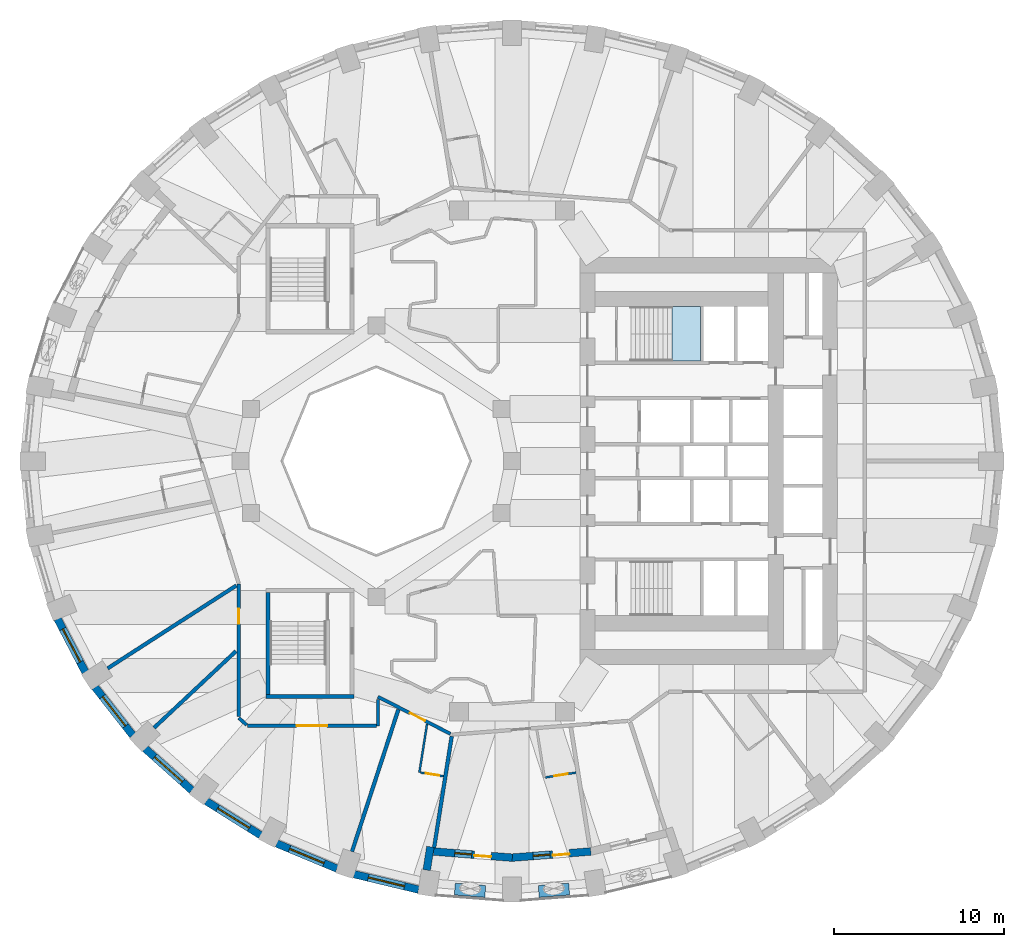
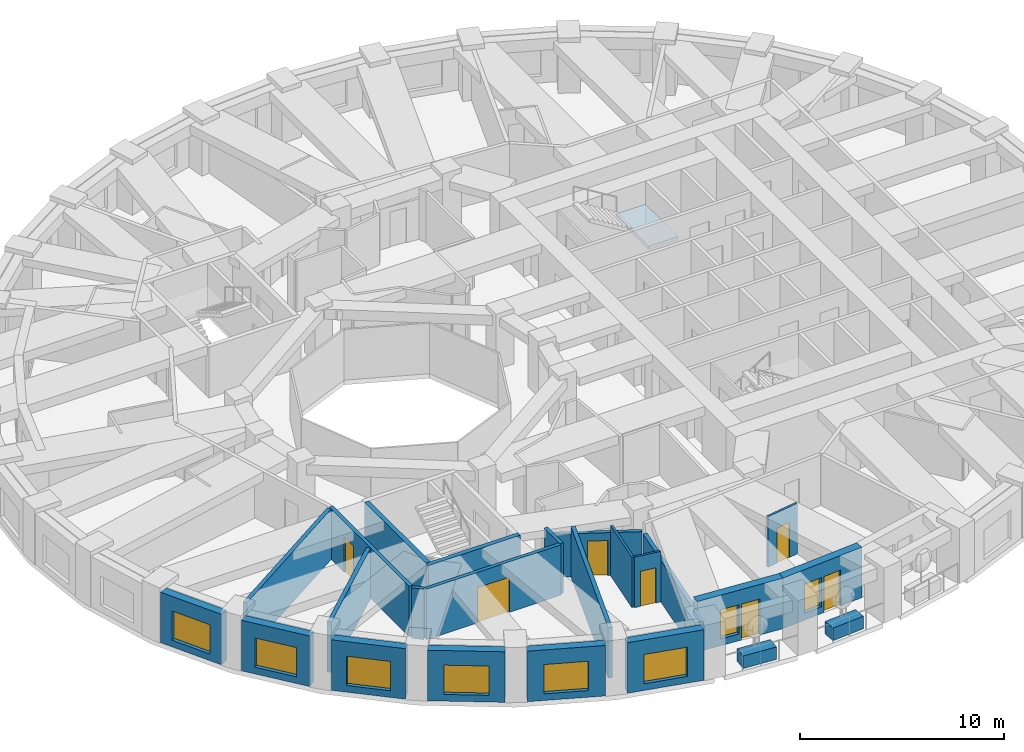
# One storey, part 3 of 13: 25 walls, 8 windows, 7 doors, 1 slab, 15 openings, 1 element without a shape of its own.
"""IFC4 building model written with IfcOpenShell, lengths in metres."""

from ifc_helpers import new_model, si_unit, direction, frame, frame_2d, origin, place, context, subcontext, project, spatial, polyline, rectangle, outline, extrude, material, layer, layer_set, constituent, constituent_set, type_object, element, fill, aggregate, save


model = new_model("IFC4")

# Units and contexts
model_context = context("Model", 3, precision=1e-05, world=origin(), true_north=direction((0.0, 1.0)))
body_context = subcontext(model_context, "Body", "Model", "MODEL_VIEW")
ifc_project = project(units=[si_unit("LENGTHUNIT", "METRE"), si_unit("AREAUNIT", "SQUARE_METRE"), si_unit("VOLUMEUNIT", "CUBIC_METRE"), si_unit("PLANEANGLEUNIT", "RADIAN"), si_unit("MASSUNIT", "GRAM", prefix="KILO")], contexts=[model_context])

# Site, building, storey
site_placement = place(None, origin())
site = spatial("IfcSite", under=ifc_project, at=site_placement, CompositionType="ELEMENT")
building_placement = place(site_placement, origin())
building = spatial("IfcBuilding", under=site, at=building_placement, Name="Taillehof Tower", CompositionType="ELEMENT")
storey_placement = place(building_placement, frame((0.0, 0.0, 31.60009765625)))
storey = spatial("IfcBuildingStorey", under=building, at=storey_placement, Name="L07", CompositionType="ELEMENT", Elevation=31.60009765625)

# Stair, slab
ifc_material_1 = material(Name="Concrete C40/50", Category="concrete")
stair_type = type_object("IfcStairType", Name="Exit stair half-turn", PredefinedType="HALF_TURN_STAIR", material=ifc_material_1)
stair_placement = place(storey_placement, origin())
stair = element("IfcStair", 1, at=stair_placement, inside=storey, type_object=stair_type, Name="Exit stair S1", PredefinedType="HALF_TURN_STAIR")
ifc_material_2 = material(Name="Concrete C40/50", Category="concrete")
ifc_layer_1 = layer(ifc_material_2, 0.2099609375)
ifc_layer_set_1 = layer_set([ifc_layer_1], Name="Stair landing C40/50 210")
slab_type = type_object("IfcSlabType", Name="Stair landing C40/50 210", PredefinedType="LANDING", material=ifc_layer_set_1)
slab_placement = place(storey_placement, frame((0.0, 0.0, 1.43994140625)))
slab = element("IfcSlab", 2, at=slab_placement, type_object=slab_type, Name="S1 landing 1", PredefinedType="LANDING", context=body_context, shape_type="SweptSolid", body=[
    extrude(outline(polyline([(9.429931640625, 5.89990234375), (11.10009765625, 5.89990234375), (11.10009765625, 9.10009765625), (9.429931640625, 9.10009765625), (9.429931640625, 5.89990234375)])), origin(), (0.0, 0.0, 1.0), 0.2099609375),
])
aggregate(stair, [slab])

# Wall, opening, window
ifc_material_3 = material(Name="Brick masonry", Category="masonry")
ifc_layer_2 = layer(ifc_material_3, 0.449951171875)
ifc_layer_set_2 = layer_set([ifc_layer_2], Name="Brick infill wall 450")
wall_type_1 = type_object("IfcWallType", Name="Brick infill wall 450", PredefinedType="SOLIDWALL", material=ifc_layer_set_2)
wall_1_placement = place(storey_placement, frame((-26.78564453125, -9.30517578125, 0.0), z_axis=(0.0, 0.0, 1.0), x_axis=(0.462492775226, -0.886623050041, 0.0)))
wall_1 = element("IfcWall", 3, at=wall_1_placement, inside=storey, type_object=wall_type_1, Name="Brick wall L07 bay 21", PredefinedType="SOLIDWALL", context=body_context, shape_type="SweptSolid", body=[
    extrude(rectangle(XDim=3.531982421875, YDim=0.449951171875, at=frame_2d((1.76611328125, 0.0))), origin(), (0.0, 0.0, 1.0), 3.02001953125),
])
opening_1_placement = place(wall_1_placement, frame((0.666015625, 0.0, 0.39990234375)))
opening_1 = element("IfcOpeningElement", 4, at=opening_1_placement, cuts=wall_1, Name="Opening W1", PredefinedType="OPENING", context=body_context, shape_type="SweptSolid", body=[
    extrude(rectangle(XDim=2.199951171875, YDim=1.75, at=frame_2d((1.10009765625, 0.875))), frame((0.0, 0.23486328125, 0.0), z_axis=(0.0, -1.0, 0.0), x_axis=(1.0, 0.0, 0.0)), (0.0, 0.0, 1.0), 0.469970703125),
])
ifc_material_4 = material(Name="Aluminium window frame with clear double glazing", Category="aluminium")
window_type_1 = type_object("IfcWindowType", Name="Deep-set window 2200x1750", PartitioningType="SINGLE_PANEL", PredefinedType="WINDOW", material=ifc_material_4)
window_1_placement = place(opening_1_placement, origin())
window_1 = element("IfcWindow", 5, at=window_1_placement, inside=storey, type_object=window_type_1, Name="W1", OverallHeight=1.75, OverallWidth=2.199951171875, PartitioningType="SINGLE_PANEL", PredefinedType="WINDOW", context=body_context, shape_type="SweptSolid", body=[
    extrude(rectangle(XDim=2.199951171875, YDim=1.75, at=frame_2d((1.10009765625, 0.875))), frame((0.0, 0.034912109375, 0.0), z_axis=(0.0, -1.0, 0.0), x_axis=(1.0, 0.0, 0.0)), (0.0, 0.0, 1.0), 0.06005859375),
])
fill(opening_1, window_1)

wall_2_placement = place(storey_placement, frame((-24.57763671875, -13.327880859375, 0.0), z_axis=(0.0, 0.0, 1.0), x_axis=(0.616661975264, -0.787228053529, 0.0)))
wall_2 = element("IfcWall", 6, at=wall_2_placement, inside=storey, type_object=wall_type_1, Name="Brick wall L07 bay 22", PredefinedType="SOLIDWALL", context=body_context, shape_type="SweptSolid", body=[
    extrude(rectangle(XDim=3.60986328125, YDim=0.449951171875, at=frame_2d((1.804931640625, 0.0))), origin(), (0.0, 0.0, 1.0), 3.02001953125),
])
opening_2_placement = place(wall_2_placement, frame((0.704833984375, 0.0, 0.39990234375)))
opening_2 = element("IfcOpeningElement", 7, at=opening_2_placement, cuts=wall_2, Name="Opening W1", PredefinedType="OPENING", context=body_context, shape_type="SweptSolid", body=[
    extrude(rectangle(XDim=2.199951171875, YDim=1.75, at=frame_2d((1.10009765625, 0.875))), frame((0.0, 0.23486328125, 0.0), z_axis=(0.0, -1.0, 0.0), x_axis=(1.0, 0.0, 0.0)), (0.0, 0.0, 1.0), 0.469970703125),
])
window_2_placement = place(opening_2_placement, origin())
window_2 = element("IfcWindow", 8, at=window_2_placement, inside=storey, type_object=window_type_1, Name="W1", OverallHeight=1.75, OverallWidth=2.199951171875, PartitioningType="SINGLE_PANEL", PredefinedType="WINDOW", context=body_context, shape_type="SweptSolid", body=[
    extrude(rectangle(XDim=2.199951171875, YDim=1.75, at=frame_2d((1.10009765625, 0.875))), frame((0.0, 0.034912109375, 0.0), z_axis=(0.0, -1.0, 0.0), x_axis=(1.0, 0.0, 0.0)), (0.0, 0.0, 1.0), 0.06005859375),
])
fill(opening_2, window_2)

wall_3_placement = place(storey_placement, frame((-21.626708984375, -16.943115234375, 0.0), z_axis=(0.0, 0.0, 1.0), x_axis=(0.745526233716, -0.66647628228, 0.0)))
wall_3 = element("IfcWall", 9, at=wall_3_placement, inside=storey, type_object=wall_type_1, Name="Brick wall L07 bay 23", PredefinedType="SOLIDWALL", context=body_context, shape_type="SweptSolid", body=[
    extrude(rectangle(XDim=3.69677734375, YDim=0.449951171875, at=frame_2d((1.848388671875, 0.0))), origin(), (0.0, 0.0, 1.0), 3.02001953125),
])
opening_3_placement = place(wall_3_placement, frame((0.74853515625, 0.0, 0.39990234375)))
opening_3 = element("IfcOpeningElement", 10, at=opening_3_placement, cuts=wall_3, Name="Opening W1", PredefinedType="OPENING", context=body_context, shape_type="SweptSolid", body=[
    extrude(rectangle(XDim=2.199951171875, YDim=1.75, at=frame_2d((1.10009765625, 0.875))), frame((0.0, 0.23486328125, 0.0), z_axis=(0.0, -1.0, 0.0), x_axis=(1.0, 0.0, 0.0)), (0.0, 0.0, 1.0), 0.469970703125),
])
window_3_placement = place(opening_3_placement, origin())
window_3 = element("IfcWindow", 11, at=window_3_placement, inside=storey, type_object=window_type_1, Name="W1", OverallHeight=1.75, OverallWidth=2.199951171875, PartitioningType="SINGLE_PANEL", PredefinedType="WINDOW", context=body_context, shape_type="SweptSolid", body=[
    extrude(rectangle(XDim=2.199951171875, YDim=1.75, at=frame_2d((1.10009765625, 0.875))), frame((0.0, 0.034912109375, 0.0), z_axis=(0.0, -1.0, 0.0), x_axis=(1.0, 0.0, 0.0)), (0.0, 0.0, 1.0), 0.06005859375),
])
fill(opening_3, window_3)

wall_4_placement = place(storey_placement, frame((-18.02294921875, -20.043701171875, 0.0), z_axis=(0.0, 0.0, 1.0), x_axis=(0.847635480093, -0.530579016629, 0.0)))
wall_4 = element("IfcWall", 12, at=wall_4_placement, inside=storey, type_object=wall_type_1, Name="Brick wall L07 bay 24", PredefinedType="SOLIDWALL", context=body_context, shape_type="SweptSolid", body=[
    extrude(rectangle(XDim=3.782470703125, YDim=0.449951171875, at=frame_2d((1.89111328125, 0.0))), origin(), (0.0, 0.0, 1.0), 3.02001953125),
])
opening_4_placement = place(wall_4_placement, frame((0.791259765625, 0.0, 0.39990234375)))
opening_4 = element("IfcOpeningElement", 13, at=opening_4_placement, cuts=wall_4, Name="Opening W1", PredefinedType="OPENING", context=body_context, shape_type="SweptSolid", body=[
    extrude(rectangle(XDim=2.199951171875, YDim=1.75, at=frame_2d((1.10009765625, 0.875))), frame((0.0, 0.23486328125, 0.0), z_axis=(0.0, -1.0, 0.0), x_axis=(1.0, 0.0, 0.0)), (0.0, 0.0, 1.0), 0.469970703125),
])
window_4_placement = place(opening_4_placement, origin())
window_4 = element("IfcWindow", 14, at=window_4_placement, inside=storey, type_object=window_type_1, Name="W1", OverallHeight=1.75, OverallWidth=2.199951171875, PartitioningType="SINGLE_PANEL", PredefinedType="WINDOW", context=body_context, shape_type="SweptSolid", body=[
    extrude(rectangle(XDim=2.199951171875, YDim=1.75, at=frame_2d((1.10009765625, 0.875))), frame((0.0, 0.034912109375, 0.0), z_axis=(0.0, -1.0, 0.0), x_axis=(1.0, 0.0, 0.0)), (0.0, 0.0, 1.0), 0.06005859375),
])
fill(opening_4, window_4)

wall_5_placement = place(storey_placement, frame((-13.875, -22.537353515625, 0.0), z_axis=(0.0, 0.0, 1.0), x_axis=(0.923031964282, -0.384723267966, 0.0)))
wall_5 = element("IfcWall", 15, at=wall_5_placement, inside=storey, type_object=wall_type_1, Name="Brick wall L07 bay 25", PredefinedType="SOLIDWALL", context=body_context, shape_type="SweptSolid", body=[
    extrude(rectangle(XDim=3.8564453125, YDim=0.449951171875, at=frame_2d((1.92822265625, 0.0))), origin(), (0.0, 0.0, 1.0), 3.02001953125),
])
opening_5_placement = place(wall_5_placement, frame((0.828125, 0.0, 0.39990234375)))
opening_5 = element("IfcOpeningElement", 16, at=opening_5_placement, cuts=wall_5, Name="Opening W1", PredefinedType="OPENING", context=body_context, shape_type="SweptSolid", body=[
    extrude(rectangle(XDim=2.199951171875, YDim=1.75, at=frame_2d((1.10009765625, 0.875))), frame((0.0, 0.23486328125, 0.0), z_axis=(0.0, -1.0, 0.0), x_axis=(1.0, 0.0, 0.0)), (0.0, 0.0, 1.0), 0.469970703125),
])
window_5_placement = place(opening_5_placement, origin())
window_5 = element("IfcWindow", 17, at=window_5_placement, inside=storey, type_object=window_type_1, Name="W1", OverallHeight=1.75, OverallWidth=2.199951171875, PartitioningType="SINGLE_PANEL", PredefinedType="WINDOW", context=body_context, shape_type="SweptSolid", body=[
    extrude(rectangle(XDim=2.199951171875, YDim=1.75, at=frame_2d((1.10009765625, 0.875))), frame((0.0, 0.034912109375, 0.0), z_axis=(0.0, -1.0, 0.0), x_axis=(1.0, 0.0, 0.0)), (0.0, 0.0, 1.0), 0.06005859375),
])
fill(opening_5, window_5)

wall_6_placement = place(storey_placement, frame((-9.3076171875, -24.349609375, 0.0), z_axis=(0.0, 0.0, 1.0), x_axis=(0.972496561493, -0.232917233979, 0.0)))
wall_6 = element("IfcWall", 18, at=wall_6_placement, inside=storey, type_object=wall_type_1, Name="Brick wall L07 bay 26", PredefinedType="SOLIDWALL", context=body_context, shape_type="SweptSolid", body=[
    extrude(rectangle(XDim=3.910888671875, YDim=0.449951171875, at=frame_2d((1.95556640625, 0.0))), origin(), (0.0, 0.0, 1.0), 3.02001953125),
])
opening_6_placement = place(wall_6_placement, frame((0.855224609375, 0.0, 0.39990234375)))
opening_6 = element("IfcOpeningElement", 19, at=opening_6_placement, cuts=wall_6, Name="Opening W1", PredefinedType="OPENING", context=body_context, shape_type="SweptSolid", body=[
    extrude(rectangle(XDim=2.199951171875, YDim=1.75, at=frame_2d((1.10009765625, 0.875))), frame((0.0, 0.23486328125, 0.0), z_axis=(0.0, -1.0, 0.0), x_axis=(1.0, 0.0, 0.0)), (0.0, 0.0, 1.0), 0.469970703125),
])
window_6_placement = place(opening_6_placement, origin())
window_6 = element("IfcWindow", 20, at=window_6_placement, inside=storey, type_object=window_type_1, Name="W1", OverallHeight=1.75, OverallWidth=2.199951171875, PartitioningType="SINGLE_PANEL", PredefinedType="WINDOW", context=body_context, shape_type="SweptSolid", body=[
    extrude(rectangle(XDim=2.199951171875, YDim=1.75, at=frame_2d((1.10009765625, 0.875))), frame((0.0, 0.034912109375, 0.0), z_axis=(0.0, -1.0, 0.0), x_axis=(1.0, 0.0, 0.0)), (0.0, 0.0, 1.0), 0.06005859375),
])
fill(opening_6, window_6)

# Wall
wall_7_placement = place(storey_placement, frame((-5.02685546875, -24.108154296875, 0.0), z_axis=(0.0, 0.0, 1.0), x_axis=(0.156133927791, 0.98773589415, 0.0)))
element("IfcWall", 21, at=wall_7_placement, inside=storey, type_object=wall_type_1, Name="Brick reveal L07 pocket 8", PredefinedType="SOLIDWALL", context=body_context, shape_type="SweptSolid", body=[
    extrude(rectangle(XDim=1.39013671875, YDim=0.449951171875, at=frame_2d((0.695068359375, 0.0))), origin(), (0.0, 0.0, 1.0), 2.469970703125),
])

# Wall, openings, door, window
wall_8_placement = place(storey_placement, frame((-4.625732421875, -23.011474609375, 0.0), z_axis=(0.0, 0.0, 1.0), x_axis=(0.996937095772, -0.078207589615, 0.0)))
wall_8 = element("IfcWall", 22, at=wall_8_placement, inside=storey, type_object=wall_type_1, Name="Brick wall L07 pocket bay 27", PredefinedType="SOLIDWALL", context=body_context, shape_type="SweptSolid", body=[
    extrude(rectangle(XDim=4.657470703125, YDim=0.449951171875, at=frame_2d((2.32861328125, 0.0))), origin(), (0.0, 0.0, 1.0), 3.02001953125),
])
opening_7_placement = place(wall_8_placement, frame((1.25390625, 0.0, 0.39990234375)))
opening_7 = element("IfcOpeningElement", 23, at=opening_7_placement, cuts=wall_8, Name="Opening W5", PredefinedType="OPENING", context=body_context, shape_type="SweptSolid", body=[
    extrude(rectangle(XDim=1.0, YDim=1.75, at=frame_2d((0.5, 0.875))), frame((0.0, 0.23486328125, 0.0), z_axis=(0.0, -1.0, 0.0), x_axis=(1.0, 0.0, 0.0)), (0.0, 0.0, 1.0), 0.469970703125),
])
opening_8_placement = place(wall_8_placement, frame((2.40380859375, 0.0, 0.0)))
opening_8 = element("IfcOpeningElement", 24, at=opening_8_placement, cuts=wall_8, Name="Opening D0794", PredefinedType="OPENING", context=body_context, shape_type="SweptSolid", body=[
    extrude(rectangle(XDim=1.0, YDim=2.14990234375, at=frame_2d((0.5, 1.074951171875))), frame((0.0, 0.23486328125, 0.0), z_axis=(0.0, -1.0, 0.0), x_axis=(1.0, 0.0, 0.0)), (0.0, 0.0, 1.0), 0.469970703125),
])
ifc_material_5 = material(Name="Aluminium door frame with clear double glazing", Category="aluminium")
door_type_1 = type_object("IfcDoorType", Name="Balcony door 1000x2150", OperationType="SINGLE_SWING_RIGHT", PredefinedType="DOOR", material=ifc_material_5)
door_1_placement = place(opening_8_placement, frame((1.0, 0.0, 0.0), z_axis=(0.0, 0.0, 1.0), x_axis=(-1.0, 0.0, 0.0)))
door_1 = element("IfcDoor", 25, at=door_1_placement, inside=storey, type_object=door_type_1, Name="Balcony door L07 bay 27", OperationType="SINGLE_SWING_RIGHT", OverallHeight=2.14990234375, OverallWidth=1.0, PredefinedType="DOOR", context=body_context, shape_type="SweptSolid", body=[
    extrude(rectangle(XDim=1.0, YDim=2.14990234375, at=frame_2d((0.5, 1.074951171875))), frame((0.0, 0.0751953125, 0.0), z_axis=(0.0, -1.0, 0.0), x_axis=(1.0, 0.0, 0.0)), (0.0, 0.0, 1.0), 0.050048828125),
])
fill(opening_8, door_1)
ifc_material_6 = material(Name="Aluminium window frame with clear double glazing", Category="aluminium")
window_type_2 = type_object("IfcWindowType", Name="Fixed window 1000x1750", PartitioningType="SINGLE_PANEL", PredefinedType="WINDOW", material=ifc_material_6)
window_7_placement = place(opening_7_placement, origin())
window_7 = element("IfcWindow", 26, at=window_7_placement, inside=storey, type_object=window_type_2, Name="W5", OverallHeight=1.75, OverallWidth=1.0, PartitioningType="SINGLE_PANEL", PredefinedType="WINDOW", context=body_context, shape_type="SweptSolid", body=[
    extrude(rectangle(XDim=1.0, YDim=1.75, at=frame_2d((0.5, 0.875))), frame((0.0, 0.034912109375, 0.0), z_axis=(0.0, -1.0, 0.0), x_axis=(1.0, 0.0, 0.0)), (0.0, 0.0, 1.0), 0.06005859375),
])
fill(opening_7, window_7)

wall_9_placement = place(storey_placement, frame((-0.017578125, -23.375732421875, 0.0), z_axis=(0.0, 0.0, 1.0), x_axis=(0.996935982964, 0.078221773648, 0.0)))
wall_9 = element("IfcWall", 27, at=wall_9_placement, inside=storey, type_object=wall_type_1, Name="Brick wall L07 pocket bay 28", PredefinedType="SOLIDWALL", context=body_context, shape_type="SweptSolid", body=[
    extrude(rectangle(XDim=4.675537109375, YDim=0.449951171875, at=frame_2d((2.337890625, 0.0))), origin(), (0.0, 0.0, 1.0), 3.02001953125),
])
opening_9_placement = place(wall_9_placement, frame((1.2626953125, 0.0, 0.39990234375)))
opening_9 = element("IfcOpeningElement", 28, at=opening_9_placement, cuts=wall_9, Name="Opening W5", PredefinedType="OPENING", context=body_context, shape_type="SweptSolid", body=[
    extrude(rectangle(XDim=1.0, YDim=1.75, at=frame_2d((0.5, 0.875))), frame((0.0, 0.23486328125, 0.0), z_axis=(0.0, -1.0, 0.0), x_axis=(1.0, 0.0, 0.0)), (0.0, 0.0, 1.0), 0.469970703125),
])
opening_10_placement = place(wall_9_placement, frame((2.41259765625, 0.0, 0.0)))
opening_10 = element("IfcOpeningElement", 29, at=opening_10_placement, cuts=wall_9, Name="Opening D0795", PredefinedType="OPENING", context=body_context, shape_type="SweptSolid", body=[
    extrude(rectangle(XDim=1.0, YDim=2.14990234375, at=frame_2d((0.5, 1.074951171875))), frame((0.0, 0.23486328125, 0.0), z_axis=(0.0, -1.0, 0.0), x_axis=(1.0, 0.0, 0.0)), (0.0, 0.0, 1.0), 0.469970703125),
])
door_2_placement = place(opening_10_placement, frame((1.0, 0.0, 0.0), z_axis=(0.0, 0.0, 1.0), x_axis=(-1.0, 0.0, 0.0)))
door_2 = element("IfcDoor", 30, at=door_2_placement, inside=storey, type_object=door_type_1, Name="Balcony door L07 bay 28", OperationType="SINGLE_SWING_LEFT", OverallHeight=2.14990234375, OverallWidth=1.0, PredefinedType="DOOR", context=body_context, shape_type="SweptSolid", body=[
    extrude(rectangle(XDim=1.0, YDim=2.14990234375, at=frame_2d((0.5, 1.074951171875))), frame((0.0, 0.0751953125, 0.0), z_axis=(0.0, -1.0, 0.0), x_axis=(1.0, 0.0, 0.0)), (0.0, 0.0, 1.0), 0.050048828125),
])
fill(opening_10, door_2)
window_8_placement = place(opening_9_placement, origin())
window_8 = element("IfcWindow", 31, at=window_8_placement, inside=storey, type_object=window_type_2, Name="W5", OverallHeight=1.75, OverallWidth=1.0, PartitioningType="SINGLE_PANEL", PredefinedType="WINDOW", context=body_context, shape_type="SweptSolid", body=[
    extrude(rectangle(XDim=1.0, YDim=1.75, at=frame_2d((0.5, 0.875))), frame((0.0, 0.034912109375, 0.0), z_axis=(0.0, -1.0, 0.0), x_axis=(1.0, 0.0, 0.0)), (0.0, 0.0, 1.0), 0.06005859375),
])
fill(opening_9, window_8)

# Wall, opening, door
ifc_material_7 = material(Name="Gypsum board on steel studs, two layers each side", Category="steel")
ifc_layer_3 = layer(ifc_material_7, 0.199951171875)
ifc_layer_set_3 = layer_set([ifc_layer_3], Name="Compartment wall corridor 200")
wall_type_2 = type_object("IfcWallType", Name="Compartment wall corridor 200", PredefinedType="PARTITIONING", material=ifc_layer_set_3)
wall_10_placement = place(storey_placement, frame((-3.6259765625, -16.07763671875, 0.0), z_axis=(0.0, 0.0, 1.0), x_axis=(-0.890197807844, 0.455574212297, 0.0)))
wall_10 = element("IfcWall", 32, at=wall_10_placement, inside=storey, type_object=wall_type_2, Name="Compartment wall", PredefinedType="PARTITIONING", context=body_context, shape_type="SweptSolid", body=[
    extrude(rectangle(XDim=4.801025390625, YDim=0.199951171875, at=frame_2d((2.400390625, 0.0))), origin(), (0.0, 0.0, 1.0), 2.56982421875),
])
opening_11_placement = place(wall_10_placement, frame((1.6875, 0.0, 0.0)))
opening_11 = element("IfcOpeningElement", 33, at=opening_11_placement, cuts=wall_10, Name="Opening D0755", PredefinedType="OPENING", context=body_context, shape_type="SweptSolid", body=[
    extrude(rectangle(XDim=1.0, YDim=2.10009765625, at=frame_2d((0.5, 1.050048828125))), frame((0.0, 0.10986328125, 0.0), z_axis=(0.0, -1.0, 0.0), x_axis=(1.0, 0.0, 0.0)), (0.0, 0.0, 1.0), 0.219970703125),
])
ifc_material_8 = material(Name="Timber door leaf in steel frame", Category="steel")
door_type_2 = type_object("IfcDoorType", Name="Guest room door EI 30 1000 x 2100", OperationType="SINGLE_SWING_LEFT", PredefinedType="DOOR", material=ifc_material_8)
door_3_placement = place(opening_11_placement, origin())
door_3 = element("IfcDoor", 34, at=door_3_placement, inside=storey, type_object=door_type_2, Name="D0755", OperationType="SINGLE_SWING_LEFT", OverallHeight=2.10009765625, OverallWidth=1.0, PredefinedType="DOOR", context=body_context, shape_type="SweptSolid", body=[
    extrude(rectangle(XDim=1.0, YDim=2.10009765625, at=frame_2d((0.5, 1.050048828125))), frame((0.0, 0.02490234375, 0.0), z_axis=(0.0, -1.0, 0.0), x_axis=(1.0, 0.0, 0.0)), (0.0, 0.0, 1.0), 0.050048828125),
])
fill(opening_11, door_3)

# Wall
wall_11_placement = place(storey_placement, frame((-7.89990234375, -14.050537109375, 0.0), z_axis=(0.0, 0.0, 1.0), x_axis=(0.0, -1.0, 0.0)))
element("IfcWall", 35, at=wall_11_placement, inside=storey, type_object=wall_type_2, Name="Compartment wall", PredefinedType="PARTITIONING", context=body_context, shape_type="SweptSolid", body=[
    extrude(rectangle(XDim=1.549560546875, YDim=0.199951171875, at=frame_2d((0.77490234375, 0.0))), origin(), (0.0, 0.0, 1.0), 3.02001953125),
])

# Wall, opening, door
wall_12_placement = place(storey_placement, frame((-8.0, -15.60009765625, 0.0), z_axis=(0.0, 0.0, 1.0), x_axis=(-1.0, 0.0, 0.0)))
wall_12 = element("IfcWall", 36, at=wall_12_placement, inside=storey, type_object=wall_type_2, Name="Compartment wall", PredefinedType="PARTITIONING", context=body_context, shape_type="SweptSolid", body=[
    extrude(rectangle(XDim=7.591552734375, YDim=0.199951171875, at=frame_2d((3.7958984375, 0.0))), origin(), (0.0, 0.0, 1.0), 3.02001953125),
])
opening_12_placement = place(wall_12_placement, frame((2.895751953125, 0.0, 0.0)))
opening_12 = element("IfcOpeningElement", 37, at=opening_12_placement, cuts=wall_12, Name="Opening D0754", PredefinedType="OPENING", context=body_context, shape_type="SweptSolid", body=[
    extrude(rectangle(XDim=1.800048828125, YDim=2.10009765625, at=frame_2d((0.89990234375, 1.050048828125))), frame((0.0, 0.10986328125, 0.0), z_axis=(0.0, -1.0, 0.0), x_axis=(1.0, 0.0, 0.0)), (0.0, 0.0, 1.0), 0.219970703125),
])
ifc_material_9 = material(Name="Timber door leaf in steel frame", Category="steel")
door_type_3 = type_object("IfcDoorType", Name="Lounge and meeting room double door EI 30 1800 x 2100", OperationType="SINGLE_SWING_LEFT", PredefinedType="DOOR", material=ifc_material_9)
door_4_placement = place(opening_12_placement, origin())
door_4 = element("IfcDoor", 38, at=door_4_placement, inside=storey, type_object=door_type_3, Name="D0754", OperationType="DOUBLE_DOOR_SINGLE_SWING", OverallHeight=2.10009765625, OverallWidth=1.800048828125, PredefinedType="DOOR", context=body_context, shape_type="SweptSolid", body=[
    extrude(rectangle(XDim=1.800048828125, YDim=2.10009765625, at=frame_2d((0.89990234375, 1.050048828125))), frame((0.0, 0.02490234375, 0.0), z_axis=(0.0, -1.0, 0.0), x_axis=(1.0, 0.0, 0.0)), (0.0, 0.0, 1.0), 0.050048828125),
])
fill(opening_12, door_4)

# Wall
wall_13_placement = place(storey_placement, frame((-15.63623046875, -15.559814453125, 0.0), z_axis=(0.0, 0.0, 1.0), x_axis=(-0.744656758283, 0.667447610187, 0.0)))
element("IfcWall", 39, at=wall_13_placement, inside=storey, type_object=wall_type_2, Name="Compartment wall", PredefinedType="PARTITIONING", context=body_context, shape_type="SweptSolid", body=[
    extrude(rectangle(XDim=0.623046875, YDim=0.199951171875, at=frame_2d((0.3115234375, 0.0))), origin(), (0.0, 0.0, 1.0), 3.02001953125),
])

# Wall, opening, door
wall_14_placement = place(storey_placement, frame((-16.10009765625, -15.06396484375, 0.0), z_axis=(0.0, 0.0, 1.0), x_axis=(0.0, 1.0, 0.0)))
wall_14 = element("IfcWall", 40, at=wall_14_placement, inside=storey, type_object=wall_type_2, Name="Compartment wall", PredefinedType="PARTITIONING", context=body_context, shape_type="SweptSolid", body=[
    extrude(rectangle(XDim=7.8232421875, YDim=0.199951171875, at=frame_2d((3.91162109375, 0.0))), origin(), (0.0, 0.0, 1.0), 3.02001953125),
])
opening_13_placement = place(wall_14_placement, frame((5.46435546875, 0.0, 0.0)))
opening_13 = element("IfcOpeningElement", 41, at=opening_13_placement, cuts=wall_14, Name="Opening D0753", PredefinedType="OPENING", context=body_context, shape_type="SweptSolid", body=[
    extrude(rectangle(XDim=0.89990234375, YDim=2.10009765625, at=frame_2d((0.449951171875, 1.050048828125))), frame((0.0, 0.10986328125, 0.0), z_axis=(0.0, -1.0, 0.0), x_axis=(1.0, 0.0, 0.0)), (0.0, 0.0, 1.0), 0.219970703125),
])
ifc_material_10 = material(Name="Timber door leaf in steel frame", Category="steel")
door_type_4 = type_object("IfcDoorType", Name="Service room door EI 30 900 x 2100", OperationType="SINGLE_SWING_LEFT", PredefinedType="DOOR", material=ifc_material_10)
door_5_placement = place(opening_13_placement, origin())
door_5 = element("IfcDoor", 42, at=door_5_placement, inside=storey, type_object=door_type_4, Name="D0753", OperationType="SINGLE_SWING_RIGHT", OverallHeight=2.10009765625, OverallWidth=0.89990234375, PredefinedType="DOOR", context=body_context, shape_type="SweptSolid", body=[
    extrude(rectangle(XDim=0.89990234375, YDim=2.10009765625, at=frame_2d((0.449951171875, 1.050048828125))), frame((0.0, 0.02490234375, 0.0), z_axis=(0.0, -1.0, 0.0), x_axis=(1.0, 0.0, 0.0)), (0.0, 0.0, 1.0), 0.050048828125),
])
fill(opening_13, door_5)

# Walls
ifc_material_11 = material(Name="Gypsum board on double steel studs with mineral wool", Category="steel")
ifc_layer_4 = layer(ifc_material_11, 0.219970703125)
ifc_layer_set_4 = layer_set([ifc_layer_4], Name="Compartment wall guest room 220")
wall_type_3 = type_object("IfcWallType", Name="Compartment wall guest room 220", PredefinedType="PARTITIONING", material=ifc_layer_set_4)
wall_15_placement = place(storey_placement, frame((-23.834716796875, -12.218994140625, 0.0), z_axis=(0.0, 0.0, 1.0), x_axis=(0.840731477632, 0.541452290159, 0.0)))
element("IfcWall", 43, at=wall_15_placement, inside=storey, type_object=wall_type_3, Name="Compartment wall", PredefinedType="PARTITIONING", context=body_context, shape_type="SweptSolid", body=[
    extrude(rectangle(XDim=9.020751953125, YDim=0.219970703125, at=frame_2d((4.51025390625, 0.0))), origin(), (0.0, 0.0, 1.0), 3.02001953125),
])
wall_16_placement = place(storey_placement, frame((-21.09326171875, -15.7177734375, 0.0), z_axis=(0.0, 0.0, 1.0), x_axis=(0.73009284205, 0.683347965525, 0.0)))
element("IfcWall", 44, at=wall_16_placement, inside=storey, type_object=wall_type_3, Name="Compartment wall", PredefinedType="PARTITIONING", context=body_context, shape_type="SweptSolid", body=[
    extrude(rectangle(XDim=6.6015625, YDim=0.219970703125, at=frame_2d((3.30078125, 0.0))), origin(), (0.0, 0.0, 1.0), 3.02001953125),
])
wall_17_placement = place(storey_placement, frame((-9.429443359375, -23.01416015625, 0.0), z_axis=(0.0, 0.0, 1.0), x_axis=(0.310242805557, 0.950657352362, 0.0)))
element("IfcWall", 45, at=wall_17_placement, inside=storey, type_object=wall_type_3, Name="Compartment wall", PredefinedType="PARTITIONING", context=body_context, shape_type="SweptSolid", body=[
    extrude(rectangle(XDim=8.80810546875, YDim=0.219970703125, at=frame_2d((4.404052734375, 0.0))), origin(), (0.0, 0.0, 1.0), 3.02001953125),
])
wall_18_placement = place(storey_placement, frame((-4.590576171875, -22.78857421875, 0.0), z_axis=(0.0, 0.0, 1.0), x_axis=(0.156104000092, 0.987740624433, 0.0)))
element("IfcWall", 46, at=wall_18_placement, inside=storey, type_object=wall_type_3, Name="Compartment wall", PredefinedType="PARTITIONING", context=body_context, shape_type="SweptSolid", body=[
    extrude(rectangle(XDim=6.6484375, YDim=0.219970703125, at=frame_2d((3.32421875, 0.0))), origin(), (0.0, 0.0, 1.0), 2.469970703125),
])
ifc_material_12 = material(Name="Gypsum board on steel studs, moisture resistant", Category="steel")
ifc_layer_5 = layer(ifc_material_12, 0.1201171875)
ifc_layer_set_5 = layer_set([ifc_layer_5], Name="En-suite wall 120")
wall_type_4 = type_object("IfcWallType", Name="En-suite wall 120", PredefinedType="PARTITIONING", material=ifc_layer_set_5)
wall_19_placement = place(storey_placement, frame((-5.008056640625, -15.503662109375, 0.0), z_axis=(0.0, 0.0, 1.0), x_axis=(-0.156219239615, -0.987722404917, 0.0)))
element("IfcWall", 47, at=wall_19_placement, inside=storey, type_object=wall_type_4, Name="En-suite wall", PredefinedType="PARTITIONING", context=body_context, shape_type="SweptSolid", body=[
    extrude(rectangle(XDim=2.8818359375, YDim=0.1201171875, at=frame_2d((1.44091796875, 0.0))), origin(), (0.0, 0.0, 1.0), 3.02001953125),
])

# Wall, opening, door
wall_20_placement = place(storey_placement, frame((-5.39892578125, -18.359375, 0.0), z_axis=(0.0, 0.0, 1.0), x_axis=(0.987722767831, -0.156216945011, 0.0)))
wall_20 = element("IfcWall", 48, at=wall_20_placement, inside=storey, type_object=wall_type_4, Name="En-suite wall", PredefinedType="PARTITIONING", context=body_context, shape_type="SweptSolid", body=[
    extrude(rectangle(XDim=1.3798828125, YDim=0.1201171875, at=frame_2d((0.68994140625, 0.0))), origin(), (0.0, 0.0, 1.0), 3.02001953125),
])
opening_14_placement = place(wall_20_placement, frame((0.31494140625, 0.0, 0.0)))
opening_14 = element("IfcOpeningElement", 49, at=opening_14_placement, cuts=wall_20, Name="Opening D0756", PredefinedType="OPENING", context=body_context, shape_type="SweptSolid", body=[
    extrude(rectangle(XDim=0.800048828125, YDim=2.10009765625, at=frame_2d((0.39990234375, 1.050048828125))), frame((0.0, 0.070068359375, 0.0), z_axis=(0.0, -1.0, 0.0), x_axis=(1.0, 0.0, 0.0)), (0.0, 0.0, 1.0), 0.14013671875),
])
ifc_material_13 = material(Name="Timber door leaf in steel frame", Category="steel")
door_type_5 = type_object("IfcDoorType", Name="En-suite door 800 x 2100", OperationType="SINGLE_SWING_LEFT", PredefinedType="DOOR", material=ifc_material_13)
door_6_placement = place(opening_14_placement, origin())
door_6 = element("IfcDoor", 50, at=door_6_placement, inside=storey, type_object=door_type_5, Name="D0756", OperationType="SINGLE_SWING_LEFT", OverallHeight=2.10009765625, OverallWidth=0.800048828125, PredefinedType="DOOR", context=body_context, shape_type="SweptSolid", body=[
    extrude(rectangle(XDim=0.800048828125, YDim=2.10009765625, at=frame_2d((0.39990234375, 1.050048828125))), frame((0.0, 0.02490234375, 0.0), z_axis=(0.0, -1.0, 0.0), x_axis=(1.0, 0.0, 0.0)), (0.0, 0.0, 1.0), 0.050048828125),
])
fill(opening_14, door_6)

wall_21_placement = place(storey_placement, frame((1.9716796875, -18.646240234375, 0.0), z_axis=(0.0, 0.0, 1.0), x_axis=(0.98774348746, 0.156085883351, 0.0)))
wall_21 = element("IfcWall", 51, at=wall_21_placement, inside=storey, type_object=wall_type_4, Name="En-suite wall", PredefinedType="PARTITIONING", context=body_context, shape_type="SweptSolid", body=[
    extrude(rectangle(XDim=1.830078125, YDim=0.1201171875, at=frame_2d((0.9150390625, 0.0))), origin(), (0.0, 0.0, 1.0), 3.02001953125),
])
opening_15_placement = place(wall_21_placement, frame((0.5400390625, 0.0, 0.0)))
opening_15 = element("IfcOpeningElement", 52, at=opening_15_placement, cuts=wall_21, Name="Opening D0758", PredefinedType="OPENING", context=body_context, shape_type="SweptSolid", body=[
    extrude(rectangle(XDim=0.800048828125, YDim=2.10009765625, at=frame_2d((0.39990234375, 1.050048828125))), frame((0.0, 0.070068359375, 0.0), z_axis=(0.0, -1.0, 0.0), x_axis=(1.0, 0.0, 0.0)), (0.0, 0.0, 1.0), 0.14013671875),
])
door_7_placement = place(opening_15_placement, origin())
door_7 = element("IfcDoor", 53, at=door_7_placement, inside=storey, type_object=door_type_5, Name="D0758", OperationType="SINGLE_SWING_RIGHT", OverallHeight=2.10009765625, OverallWidth=0.800048828125, PredefinedType="DOOR", context=body_context, shape_type="SweptSolid", body=[
    extrude(rectangle(XDim=0.800048828125, YDim=2.10009765625, at=frame_2d((0.39990234375, 1.050048828125))), frame((0.0, 0.02490234375, 0.0), z_axis=(0.0, -1.0, 0.0), x_axis=(1.0, 0.0, 0.0)), (0.0, 0.0, 1.0), 0.050048828125),
])
fill(opening_15, door_7)

# Walls
ifc_material_14 = material(Name="Concrete C30/37 precast", Category="concrete")
ifc_constituent_1 = constituent(ifc_material_14, Name="Structure", Category="concrete")
ifc_material_15 = material(Name="Insulated lining")
ifc_constituent_2 = constituent(ifc_material_15, Name="Lining")
ifc_constituent_set = constituent_set(constituents=[ifc_constituent_1, ifc_constituent_2], Name="Planter trough 700x750")
wall_type_5 = type_object("IfcWallType", Name="Planter trough 700x750", PredefinedType="USERDEFINED", material=ifc_constituent_set)
for number, where, z_axis, x_axis, name in (
    (54, (-3.368896484375, -25.22509765625, 0.0), (0.0, 0.0, 1.0), (0.996965267018, -0.077847648384, 0.0), "Planter L07 bay 27"),
    (55, (1.57421875, -25.365234375, 0.0), (0.0, 0.0, 1.0), (0.996965267018, 0.077847648384, 0.0), "Planter L07 bay 28"),
):
    element("IfcWall", number, at=place(storey_placement, frame(where, z_axis=z_axis, x_axis=x_axis)), inside=storey, type_object=wall_type_5, Name=name, ObjectType="PLANTER", PredefinedType="USERDEFINED", context=body_context, shape_type="SweptSolid", body=[
        extrude(rectangle(XDim=1.800048828125, YDim=0.699951171875, at=frame_2d((0.89990234375, 0.0))), origin(), (0.0, 0.0, 1.0), 0.75),
    ])
ifc_material_16 = material(Name="Concrete C50/60", Category="concrete")
ifc_layer_6 = layer(ifc_material_16, 0.25)
ifc_layer_set_6 = layer_set([ifc_layer_6], Name="Stair wall C50/60 250")
wall_type_6 = type_object("IfcWallType", Name="Stair wall C50/60 250", PredefinedType="SHEAR", material=ifc_layer_set_6)
wall_22_placement = place(storey_placement, frame((-14.375, -13.75, -0.280029296875), z_axis=(0.0, 0.0, 1.0), x_axis=(0.0, 1.0, 0.0)))
element("IfcWall", 56, at=wall_22_placement, inside=storey, type_object=wall_type_6, Name="Stair wall SC", PredefinedType="SHEAR", context=body_context, shape_type="SweptSolid", body=[
    extrude(rectangle(XDim=6.0, YDim=0.25, at=frame_2d((3.0, 0.0))), origin(), (0.0, 0.0, 1.0), 3.300048828125),
])
wall_23_placement = place(storey_placement, frame((-14.5, -13.875, -0.280029296875), z_axis=(0.0, 0.0, 1.0), x_axis=(1.0, 0.0, 0.0)))
element("IfcWall", 57, at=wall_23_placement, inside=storey, type_object=wall_type_6, Name="Stair wall SC", PredefinedType="SHEAR", context=body_context, shape_type="SweptSolid", body=[
    extrude(rectangle(XDim=5.199951171875, YDim=0.25, at=frame_2d((2.60009765625, 0.0))), origin(), (0.0, 0.0, 1.0), 3.300048828125),
])

save(model, "model.ifc")
